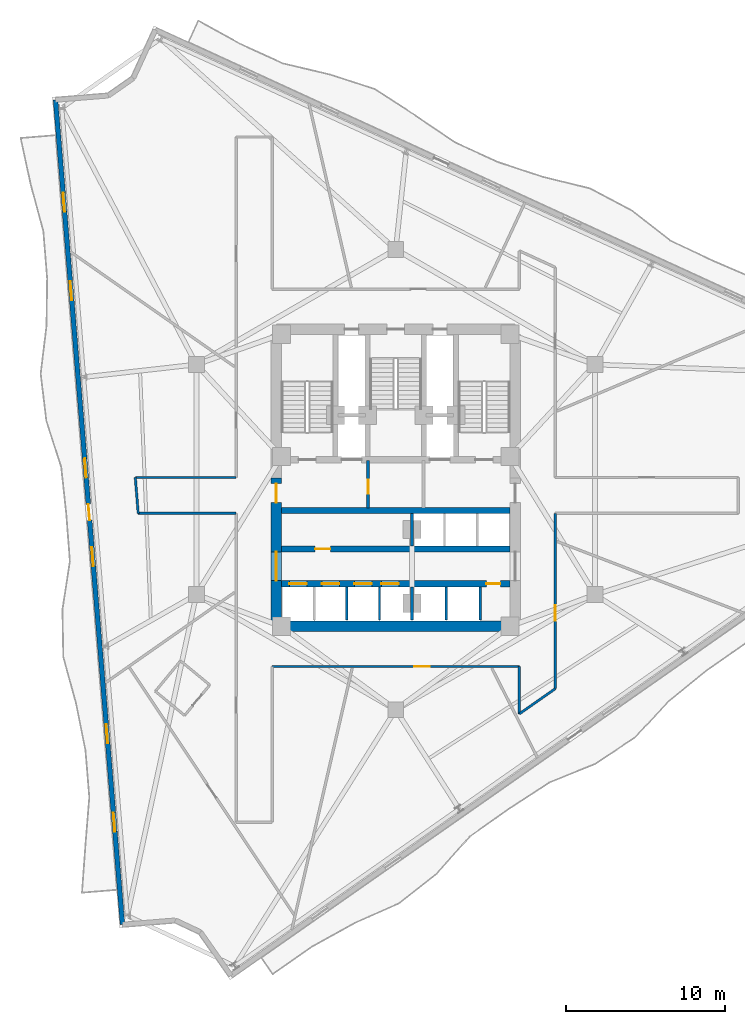
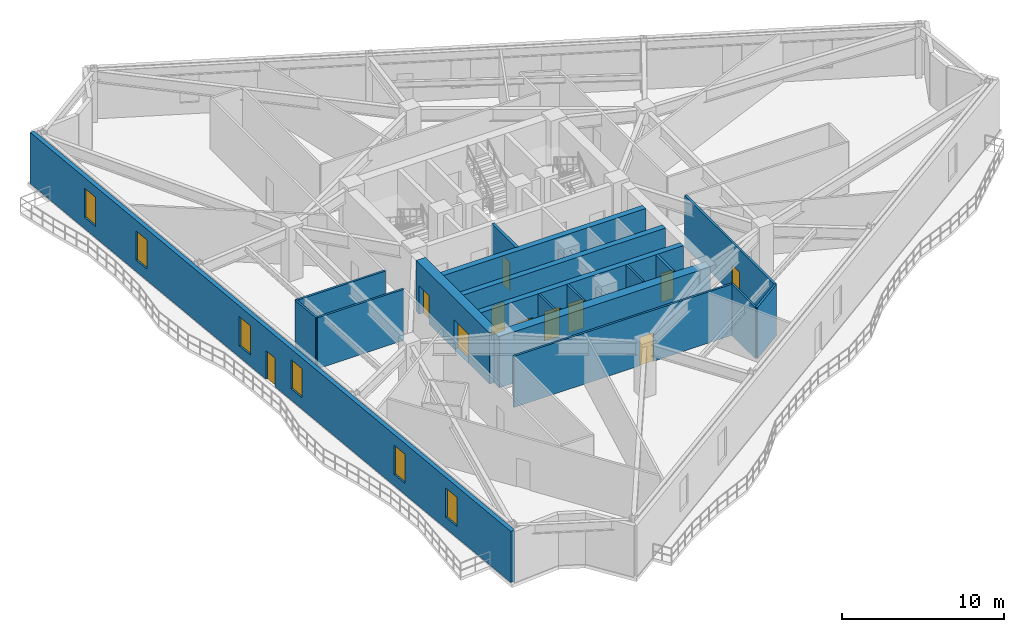
# One storey, part 5 of 11: 20 walls, 12 doors, 6 windows, 18 openings.
"""IFC4 building model written with IfcOpenShell, lengths in metres."""

from ifc_helpers import new_model, si_unit, direction, frame, frame_2d, origin, place, context, subcontext, project, spatial, rectangle, extrude, material, layer, layer_set, type_object, element, fill, save


model = new_model("IFC4")

# Units and contexts
model_context = context("Model", 3, precision=1e-05, world=origin(), true_north=direction((0.0, 1.0)))
body_context = subcontext(model_context, "Body", "Model", "MODEL_VIEW")
ifc_project = project(units=[si_unit("LENGTHUNIT", "METRE"), si_unit("AREAUNIT", "SQUARE_METRE"), si_unit("VOLUMEUNIT", "CUBIC_METRE"), si_unit("PLANEANGLEUNIT", "RADIAN"), si_unit("MASSUNIT", "GRAM", prefix="KILO")], contexts=[model_context])

# Site, building, storey
site_placement = place(None, origin())
site = spatial("IfcSite", under=ifc_project, at=site_placement, CompositionType="ELEMENT")
building_placement = place(site_placement, origin())
building = spatial("IfcBuilding", under=site, at=building_placement, Name="Apsidion Concourse Tower", CompositionType="ELEMENT")
storey_placement = place(building_placement, frame((0.0, 0.0, 214.699951171875)))
storey = spatial("IfcBuildingStorey", under=building, at=storey_placement, Name="L50", CompositionType="ELEMENT", Elevation=214.699951171875)

# Wall, openings, door, windows
ifc_material_1 = material(Name="Precast concrete C40/50", Category="concrete")
ifc_layer_1 = layer(ifc_material_1, 0.300048828125)
ifc_layer_set_1 = layer_set([ifc_layer_1], Name="Precast concrete C40/50")
wall_type_1 = type_object("IfcWallType", Name="WL-EXT-300", PredefinedType="STANDARD", material=ifc_layer_set_1)
wall_1_placement = place(storey_placement, frame((-17.2158203125, -28.039794921875, 0.0), z_axis=(0.0, 0.0, 1.0), x_axis=(-0.080930933538, 0.996719711853, 0.0)))
wall_1 = element("IfcWall", 1, at=wall_1_placement, inside=storey, type_object=wall_type_1, Name="L50 Precast Stone Facade Wall 09", PredefinedType="STANDARD", context=body_context, shape_type="SweptSolid", body=[
    extrude(rectangle(XDim=52.127685546875, YDim=0.300048828125, at=frame_2d((26.06396484375, 0.0))), origin(), (0.0, 0.0, 1.0), 3.85009765625),
])
opening_1_placement = place(wall_1_placement, frame((25.56396484375, 0.0, 0.0)))
opening_1 = element("IfcOpeningElement", 2, at=opening_1_placement, cuts=wall_1, Name="Opening D-T1L", PredefinedType="OPENING", context=body_context, shape_type="SweptSolid", body=[
    extrude(rectangle(XDim=1.0, YDim=2.14990234375, at=frame_2d((0.5, 1.074951171875))), frame((0.0, 0.16015625, 0.0), z_axis=(0.0, -1.0, 0.0), x_axis=(1.0, 0.0, 0.0)), (0.0, 0.0, 1.0), 0.320068359375),
])
opening_2_placement = place(wall_1_placement, frame((5.864013671875, 0.0, 0.85009765625)))
opening_2 = element("IfcOpeningElement", 3, at=opening_2_placement, cuts=wall_1, Name="Opening WN-06", PredefinedType="OPENING", context=body_context, shape_type="SweptSolid", body=[
    extrude(rectangle(XDim=1.199951171875, YDim=2.199951171875, at=frame_2d((0.60009765625, 1.10009765625))), frame((0.0, 0.16015625, 0.0), z_axis=(0.0, -1.0, 0.0), x_axis=(1.0, 0.0, 0.0)), (0.0, 0.0, 1.0), 0.320068359375),
])
opening_3_placement = place(wall_1_placement, frame((11.4638671875, 0.0, 0.85009765625)))
opening_3 = element("IfcOpeningElement", 4, at=opening_3_placement, cuts=wall_1, Name="Opening WN-06", PredefinedType="OPENING", context=body_context, shape_type="SweptSolid", body=[
    extrude(rectangle(XDim=1.199951171875, YDim=2.199951171875, at=frame_2d((0.60009765625, 1.10009765625))), frame((0.0, 0.16015625, 0.0), z_axis=(0.0, -1.0, 0.0), x_axis=(1.0, 0.0, 0.0)), (0.0, 0.0, 1.0), 0.320068359375),
])
opening_4_placement = place(wall_1_placement, frame((22.663818359375, 0.0, 0.85009765625)))
opening_4 = element("IfcOpeningElement", 5, at=opening_4_placement, cuts=wall_1, Name="Opening WN-06", PredefinedType="OPENING", context=body_context, shape_type="SweptSolid", body=[
    extrude(rectangle(XDim=1.199951171875, YDim=2.199951171875, at=frame_2d((0.60009765625, 1.10009765625))), frame((0.0, 0.16015625, 0.0), z_axis=(0.0, -1.0, 0.0), x_axis=(1.0, 0.0, 0.0)), (0.0, 0.0, 1.0), 0.320068359375),
])
opening_5_placement = place(wall_1_placement, frame((28.263916015625, 0.0, 0.85009765625)))
opening_5 = element("IfcOpeningElement", 6, at=opening_5_placement, cuts=wall_1, Name="Opening WN-06", PredefinedType="OPENING", context=body_context, shape_type="SweptSolid", body=[
    extrude(rectangle(XDim=1.199951171875, YDim=2.199951171875, at=frame_2d((0.60009765625, 1.10009765625))), frame((0.0, 0.16015625, 0.0), z_axis=(0.0, -1.0, 0.0), x_axis=(1.0, 0.0, 0.0)), (0.0, 0.0, 1.0), 0.320068359375),
])
opening_6_placement = place(wall_1_placement, frame((39.4638671875, 0.0, 0.85009765625)))
opening_6 = element("IfcOpeningElement", 7, at=opening_6_placement, cuts=wall_1, Name="Opening WN-06", PredefinedType="OPENING", context=body_context, shape_type="SweptSolid", body=[
    extrude(rectangle(XDim=1.199951171875, YDim=2.199951171875, at=frame_2d((0.60009765625, 1.10009765625))), frame((0.0, 0.16015625, 0.0), z_axis=(0.0, -1.0, 0.0), x_axis=(1.0, 0.0, 0.0)), (0.0, 0.0, 1.0), 0.320068359375),
])
opening_7_placement = place(wall_1_placement, frame((45.06396484375, 0.0, 0.85009765625)))
opening_7 = element("IfcOpeningElement", 8, at=opening_7_placement, cuts=wall_1, Name="Opening WN-06", PredefinedType="OPENING", context=body_context, shape_type="SweptSolid", body=[
    extrude(rectangle(XDim=1.199951171875, YDim=2.199951171875, at=frame_2d((0.60009765625, 1.10009765625))), frame((0.0, 0.16015625, 0.0), z_axis=(0.0, -1.0, 0.0), x_axis=(1.0, 0.0, 0.0)), (0.0, 0.0, 1.0), 0.320068359375),
])
ifc_material_2 = material(Name="Anodised aluminium EN AW-6063 T6", Category="aluminium")
door_type_1 = type_object("IfcDoorType", Name="DR-TER-1022L", OperationType="SINGLE_SWING_LEFT", PredefinedType="DOOR", material=ifc_material_2)
door_1_placement = place(opening_1_placement, origin())
door_1 = element("IfcDoor", 9, at=door_1_placement, inside=storey, type_object=door_type_1, Name="L50 Balcony Access Door 1", OperationType="SINGLE_SWING_LEFT", OverallHeight=2.14990234375, OverallWidth=1.0, PredefinedType="DOOR", context=body_context, shape_type="SweptSolid", body=[
    extrude(rectangle(XDim=1.0, YDim=2.14990234375, at=frame_2d((0.5, 1.074951171875))), frame((0.0, 0.02490234375, 0.0), z_axis=(0.0, -1.0, 0.0), x_axis=(1.0, 0.0, 0.0)), (0.0, 0.0, 1.0), 0.050048828125),
])
fill(opening_1, door_1)
ifc_material_3 = material(Name="Insulated laminated low-E glass", Category="glass")
window_type = type_object("IfcWindowType", Name="WN-OFF-1224", PartitioningType="SINGLE_PANEL", PredefinedType="WINDOW", material=ifc_material_3)
window_1_placement = place(opening_2_placement, origin())
window_1 = element("IfcWindow", 10, at=window_1_placement, inside=storey, type_object=window_type, Name="L50 Punched Facade Window 9-01", OverallHeight=2.199951171875, OverallWidth=1.199951171875, PartitioningType="SINGLE_PANEL", PredefinedType="WINDOW", context=body_context, shape_type="SweptSolid", body=[
    extrude(rectangle(XDim=1.199951171875, YDim=2.199951171875, at=frame_2d((0.60009765625, 1.10009765625))), frame((0.0, 0.030029296875, 0.0), z_axis=(0.0, -1.0, 0.0), x_axis=(1.0, 0.0, 0.0)), (0.0, 0.0, 1.0), 0.06005859375),
])
fill(opening_2, window_1)
window_2_placement = place(opening_3_placement, origin())
window_2 = element("IfcWindow", 11, at=window_2_placement, inside=storey, type_object=window_type, Name="L50 Punched Facade Window 9-02", OverallHeight=2.199951171875, OverallWidth=1.199951171875, PartitioningType="SINGLE_PANEL", PredefinedType="WINDOW", context=body_context, shape_type="SweptSolid", body=[
    extrude(rectangle(XDim=1.199951171875, YDim=2.199951171875, at=frame_2d((0.60009765625, 1.10009765625))), frame((0.0, 0.030029296875, 0.0), z_axis=(0.0, -1.0, 0.0), x_axis=(1.0, 0.0, 0.0)), (0.0, 0.0, 1.0), 0.06005859375),
])
fill(opening_3, window_2)
window_3_placement = place(opening_4_placement, origin())
window_3 = element("IfcWindow", 12, at=window_3_placement, inside=storey, type_object=window_type, Name="L50 Punched Facade Window 9-04", OverallHeight=2.199951171875, OverallWidth=1.199951171875, PartitioningType="SINGLE_PANEL", PredefinedType="WINDOW", context=body_context, shape_type="SweptSolid", body=[
    extrude(rectangle(XDim=1.199951171875, YDim=2.199951171875, at=frame_2d((0.60009765625, 1.10009765625))), frame((0.0, 0.030029296875, 0.0), z_axis=(0.0, -1.0, 0.0), x_axis=(1.0, 0.0, 0.0)), (0.0, 0.0, 1.0), 0.06005859375),
])
fill(opening_4, window_3)
window_4_placement = place(opening_5_placement, origin())
window_4 = element("IfcWindow", 13, at=window_4_placement, inside=storey, type_object=window_type, Name="L50 Punched Facade Window 9-05", OverallHeight=2.199951171875, OverallWidth=1.199951171875, PartitioningType="SINGLE_PANEL", PredefinedType="WINDOW", context=body_context, shape_type="SweptSolid", body=[
    extrude(rectangle(XDim=1.199951171875, YDim=2.199951171875, at=frame_2d((0.60009765625, 1.10009765625))), frame((0.0, 0.030029296875, 0.0), z_axis=(0.0, -1.0, 0.0), x_axis=(1.0, 0.0, 0.0)), (0.0, 0.0, 1.0), 0.06005859375),
])
fill(opening_5, window_4)
window_5_placement = place(opening_6_placement, origin())
window_5 = element("IfcWindow", 14, at=window_5_placement, inside=storey, type_object=window_type, Name="L50 Punched Facade Window 9-07", OverallHeight=2.199951171875, OverallWidth=1.199951171875, PartitioningType="SINGLE_PANEL", PredefinedType="WINDOW", context=body_context, shape_type="SweptSolid", body=[
    extrude(rectangle(XDim=1.199951171875, YDim=2.199951171875, at=frame_2d((0.60009765625, 1.10009765625))), frame((0.0, 0.030029296875, 0.0), z_axis=(0.0, -1.0, 0.0), x_axis=(1.0, 0.0, 0.0)), (0.0, 0.0, 1.0), 0.06005859375),
])
fill(opening_6, window_5)
window_6_placement = place(opening_7_placement, origin())
window_6 = element("IfcWindow", 15, at=window_6_placement, inside=storey, type_object=window_type, Name="L50 Punched Facade Window 9-08", OverallHeight=2.199951171875, OverallWidth=1.199951171875, PartitioningType="SINGLE_PANEL", PredefinedType="WINDOW", context=body_context, shape_type="SweptSolid", body=[
    extrude(rectangle(XDim=1.199951171875, YDim=2.199951171875, at=frame_2d((0.60009765625, 1.10009765625))), frame((0.0, 0.030029296875, 0.0), z_axis=(0.0, -1.0, 0.0), x_axis=(1.0, 0.0, 0.0)), (0.0, 0.0, 1.0), 0.06005859375),
])
fill(opening_7, window_6)

# Walls
ifc_material_4 = material(Name="Gypsum plasterboard partition")
ifc_layer_2 = layer(ifc_material_4, 0.14990234375)
ifc_layer_set_2 = layer_set([ifc_layer_2], Name="Gypsum plasterboard partition")
wall_type_2 = type_object("IfcWallType", Name="WL-INT-PAR-150", PredefinedType="PARTITIONING", material=ifc_layer_set_2)
for number, where, z_axis, x_axis, name in (
    (16, (-3.074951171875, -8.85009765625, 0.0), (0.0, 0.0, 1.0), (0.0, 1.0, 0.0), "L50 Interior Partition WL-L50-B2DIV-2"),
    (17, (-1.02490234375, -8.85009765625, 0.0), (0.0, 0.0, 1.0), (0.0, 1.0, 0.0), "L50 Interior Partition WL-L50-B2DIV-3"),
    (18, (3.175048828125, -8.85009765625, 0.0), (0.0, 0.0, 1.0), (0.0, 1.0, 0.0), "L50 Interior Partition WL-L50-SHDIV-1"),
):
    element("IfcWall", number, at=place(storey_placement, frame(where, z_axis=z_axis, x_axis=x_axis)), inside=storey, type_object=wall_type_2, Name=name, PredefinedType="PARTITIONING", context=body_context, shape_type="SweptSolid", body=[
        extrude(rectangle(XDim=2.080078125, YDim=0.14990234375, at=frame_2d((1.0400390625, 0.0))), origin(), (0.0, 0.0, 1.0), 3.85009765625),
    ])
wall_2_placement = place(storey_placement, frame((10.050048828125, -13.177490234375, 0.0), z_axis=(0.0, 0.0, 1.0), x_axis=(-0.819144609591, -0.573587054053, 0.0)))
element("IfcWall", 19, at=wall_2_placement, inside=storey, type_object=wall_type_2, Name="L50 Interior Partition WL-L50-CORR-01", PredefinedType="PARTITIONING", context=body_context, shape_type="SweptSolid", body=[
    extrude(rectangle(XDim=2.759033203125, YDim=0.14990234375, at=frame_2d((1.37939453125, 0.0))), origin(), (0.0, 0.0, 1.0), 3.85009765625),
])
wall_3_placement = place(storey_placement, frame((7.7900390625, -14.760009765625, 0.0), z_axis=(0.0, 0.0, 1.0), x_axis=(0.0, 1.0, 0.0)))
element("IfcWall", 20, at=wall_3_placement, inside=storey, type_object=wall_type_2, Name="L50 Interior Partition WL-L50-CORR-02", PredefinedType="PARTITIONING", context=body_context, shape_type="SweptSolid", body=[
    extrude(rectangle(XDim=2.985107421875, YDim=0.14990234375, at=frame_2d((1.49267578125, 0.0))), origin(), (0.0, 0.0, 1.0), 3.85009765625),
])

# Wall, opening, door
wall_4_placement = place(storey_placement, frame((7.7900390625, -11.77490234375, 0.0), z_axis=(0.0, 0.0, 1.0), x_axis=(-1.0, 0.0, 0.0)))
wall_4 = element("IfcWall", 21, at=wall_4_placement, inside=storey, type_object=wall_type_2, Name="L50 Interior Partition WL-L50-CORR-03", PredefinedType="PARTITIONING", context=body_context, shape_type="SweptSolid", body=[
    extrude(rectangle(XDim=15.580078125, YDim=0.14990234375, at=frame_2d((7.7900390625, 0.0))), origin(), (0.0, 0.0, 1.0), 3.85009765625),
])
opening_8_placement = place(wall_4_placement, frame((5.662109375, 0.0, 0.0)))
opening_8 = element("IfcOpeningElement", 22, at=opening_8_placement, cuts=wall_4, Name="Opening D-01R", PredefinedType="OPENING", context=body_context, shape_type="SweptSolid", body=[
    extrude(rectangle(XDim=0.949951171875, YDim=2.14990234375, at=frame_2d((0.47509765625, 1.074951171875))), frame((0.0, 0.0849609375, 0.0), z_axis=(0.0, -1.0, 0.0), x_axis=(1.0, 0.0, 0.0)), (0.0, 0.0, 1.0), 0.169921875),
])
ifc_material_5 = material(Name="Brushed stainless steel 316", Category="steel")
door_type_2 = type_object("IfcDoorType", Name="DR-INT-D01R", OperationType="SINGLE_SWING_RIGHT", PredefinedType="DOOR", material=ifc_material_5)
door_2_placement = place(opening_8_placement, origin())
door_2 = element("IfcDoor", 23, at=door_2_placement, inside=storey, type_object=door_type_2, Name="L50 Corridor Entry Door 02", OperationType="SINGLE_SWING_RIGHT", OverallHeight=2.14990234375, OverallWidth=0.949951171875, PredefinedType="DOOR", context=body_context, shape_type="SweptSolid", body=[
    extrude(rectangle(XDim=0.949951171875, YDim=2.14990234375, at=frame_2d((0.47509765625, 1.074951171875))), frame((0.0, 0.02490234375, 0.0), z_axis=(0.0, -1.0, 0.0), x_axis=(1.0, 0.0, 0.0)), (0.0, 0.0, 1.0), 0.050048828125),
])
fill(opening_8, door_2)

# Walls
wall_5_placement = place(storey_placement, frame((-10.050048828125, -2.1298828125, 0.0), z_axis=(0.0, 0.0, 1.0), x_axis=(-1.0, 0.0, 0.0)))
element("IfcWall", 24, at=wall_5_placement, inside=storey, type_object=wall_type_2, Name="L50 Interior Partition WL-L50-CORR-07", PredefinedType="PARTITIONING", context=body_context, shape_type="SweptSolid", body=[
    extrude(rectangle(XDim=6.17431640625, YDim=0.14990234375, at=frame_2d((3.087158203125, 0.0))), origin(), (0.0, 0.0, 1.0), 3.85009765625),
])
wall_6_placement = place(storey_placement, frame((-16.224365234375, -2.1298828125, 0.0), z_axis=(0.0, 0.0, 1.0), x_axis=(-0.080977783256, 0.996715906675, 0.0)))
element("IfcWall", 25, at=wall_6_placement, inside=storey, type_object=wall_type_2, Name="L50 Interior Partition WL-L50-CORR-08", PredefinedType="PARTITIONING", context=body_context, shape_type="SweptSolid", body=[
    extrude(rectangle(XDim=2.26708984375, YDim=0.14990234375, at=frame_2d((1.133544921875, 0.0))), origin(), (0.0, 0.0, 1.0), 3.85009765625),
])
wall_7_placement = place(storey_placement, frame((-16.407958984375, 0.1298828125, 0.0), z_axis=(0.0, 0.0, 1.0), x_axis=(1.0, 0.0, 0.0)))
element("IfcWall", 26, at=wall_7_placement, inside=storey, type_object=wall_type_2, Name="L50 Interior Partition WL-L50-CORR-09", PredefinedType="PARTITIONING", context=body_context, shape_type="SweptSolid", body=[
    extrude(rectangle(XDim=6.35791015625, YDim=0.14990234375, at=frame_2d((3.178955078125, 0.0))), origin(), (0.0, 0.0, 1.0), 3.85009765625),
])

# Wall, opening, door
wall_8_placement = place(storey_placement, frame((10.050048828125, -2.1298828125, 0.0), z_axis=(0.0, 0.0, 1.0), x_axis=(0.0, -1.0, 0.0)))
wall_8 = element("IfcWall", 27, at=wall_8_placement, inside=storey, type_object=wall_type_2, Name="L50 Interior Partition WL-L50-CORR-20", PredefinedType="PARTITIONING", context=body_context, shape_type="SweptSolid", body=[
    extrude(rectangle(XDim=11.047607421875, YDim=0.14990234375, at=frame_2d((5.52392578125, 0.0))), origin(), (0.0, 0.0, 1.0), 3.85009765625),
])
opening_9_placement = place(wall_8_placement, frame((5.80322265625, 0.0, 0.0)))
opening_9 = element("IfcOpeningElement", 28, at=opening_9_placement, cuts=wall_8, Name="Opening D-01L", PredefinedType="OPENING", context=body_context, shape_type="SweptSolid", body=[
    extrude(rectangle(XDim=0.949951171875, YDim=2.14990234375, at=frame_2d((0.47509765625, 1.074951171875))), frame((0.0, 0.0849609375, 0.0), z_axis=(0.0, -1.0, 0.0), x_axis=(1.0, 0.0, 0.0)), (0.0, 0.0, 1.0), 0.169921875),
])
door_type_3 = type_object("IfcDoorType", Name="DR-INT-D01L", OperationType="SINGLE_SWING_LEFT", PredefinedType="DOOR", material=ifc_material_5)
door_3_placement = place(opening_9_placement, origin())
door_3 = element("IfcDoor", 29, at=door_3_placement, inside=storey, type_object=door_type_3, Name="L50 Corridor Entry Door 03", OperationType="SINGLE_SWING_LEFT", OverallHeight=2.14990234375, OverallWidth=0.949951171875, PredefinedType="DOOR", context=body_context, shape_type="SweptSolid", body=[
    extrude(rectangle(XDim=0.949951171875, YDim=2.14990234375, at=frame_2d((0.47509765625, 1.074951171875))), frame((0.0, 0.02490234375, 0.0), z_axis=(0.0, -1.0, 0.0), x_axis=(1.0, 0.0, 0.0)), (0.0, 0.0, 1.0), 0.050048828125),
])
fill(opening_9, door_3)

# Walls
ifc_layer_3 = layer(ifc_material_4, 0.179931640625)
ifc_layer_set_3 = layer_set([ifc_layer_3], Name="Gypsum plasterboard partition")
wall_type_3 = type_object("IfcWallType", Name="WL-INT-PAR-180", PredefinedType="PARTITIONING", material=ifc_layer_set_3)
wall_9_placement = place(storey_placement, frame((1.02490234375, -4.179931640625, 0.0), z_axis=(0.0, 0.0, 1.0), x_axis=(0.0, 1.0, 0.0)))
element("IfcWall", 30, at=wall_9_placement, inside=storey, type_object=wall_type_3, Name="L50 Interior Partition WL-L50-B1END", PredefinedType="PARTITIONING", context=body_context, shape_type="SweptSolid", body=[
    extrude(rectangle(XDim=2.030029296875, YDim=0.179931640625, at=frame_2d((1.01513671875, 0.0))), origin(), (0.0, 0.0, 1.0), 2.89794921875),
])
wall_10_placement = place(storey_placement, frame((1.02490234375, -8.85009765625, 0.0), z_axis=(0.0, 0.0, 1.0), x_axis=(0.0, 1.0, 0.0)))
element("IfcWall", 31, at=wall_10_placement, inside=storey, type_object=wall_type_3, Name="L50 Interior Partition WL-L50-B2END", PredefinedType="PARTITIONING", context=body_context, shape_type="SweptSolid", body=[
    extrude(rectangle(XDim=2.080078125, YDim=0.179931640625, at=frame_2d((1.0400390625, 0.0))), origin(), (0.0, 0.0, 1.0), 2.89794921875),
])
wall_11_placement = place(storey_placement, frame((5.324951171875, -8.85009765625, 0.0), z_axis=(0.0, 0.0, 1.0), x_axis=(0.0, 1.0, 0.0)))
element("IfcWall", 32, at=wall_11_placement, inside=storey, type_object=wall_type_3, Name="L50 Interior Partition WL-L50-SHDIV-2", PredefinedType="PARTITIONING", context=body_context, shape_type="SweptSolid", body=[
    extrude(rectangle(XDim=2.080078125, YDim=0.179931640625, at=frame_2d((1.0400390625, 0.0))), origin(), (0.0, 0.0, 1.0), 3.85009765625),
])

# Wall, opening, door
ifc_layer_4 = layer(ifc_material_4, 0.199951171875)
ifc_layer_set_4 = layer_set([ifc_layer_4], Name="Gypsum plasterboard partition")
wall_type_4 = type_object("IfcWallType", Name="WL-INT-PAR-200", PredefinedType="PARTITIONING", material=ifc_layer_set_4)
wall_12_placement = place(storey_placement, frame((-1.739990234375, -1.780029296875, 0.0), z_axis=(0.0, 0.0, 1.0), x_axis=(0.0, 1.0, 0.0)))
wall_12 = element("IfcWall", 33, at=wall_12_placement, inside=storey, type_object=wall_type_4, Name="L50 Interior Partition WL-L50-FF1-E", PredefinedType="PARTITIONING", context=body_context, shape_type="SweptSolid", body=[
    extrude(rectangle(XDim=2.97998046875, YDim=0.199951171875, at=frame_2d((1.489990234375, 0.0))), origin(), (0.0, 0.0, 1.0), 3.85009765625),
])
opening_10_placement = place(wall_12_placement, frame((0.889892578125, 0.0, 0.0)))
opening_10 = element("IfcOpeningElement", 34, at=opening_10_placement, cuts=wall_12, Name="Opening D-05R", PredefinedType="OPENING", context=body_context, shape_type="SweptSolid", body=[
    extrude(rectangle(XDim=0.8798828125, YDim=2.14990234375, at=frame_2d((0.43994140625, 1.074951171875))), frame((0.0, 0.10986328125, 0.0), z_axis=(0.0, -1.0, 0.0), x_axis=(1.0, 0.0, 0.0)), (0.0, 0.0, 1.0), 0.219970703125),
])
door_type_4 = type_object("IfcDoorType", Name="DR-INT-D05R", OperationType="SINGLE_SWING_RIGHT", PredefinedType="DOOR", material=ifc_material_5)
door_4_placement = place(opening_10_placement, origin())
door_4 = element("IfcDoor", 35, at=door_4_placement, inside=storey, type_object=door_type_4, Name="L50 Core BMS Door", OperationType="SINGLE_SWING_RIGHT", OverallHeight=2.14990234375, OverallWidth=0.8798828125, PredefinedType="DOOR", context=body_context, shape_type="SweptSolid", body=[
    extrude(rectangle(XDim=0.8798828125, YDim=2.14990234375, at=frame_2d((0.43994140625, 1.074951171875))), frame((0.0, 0.02490234375, 0.0), z_axis=(0.0, -1.0, 0.0), x_axis=(1.0, 0.0, 0.0)), (0.0, 0.0, 1.0), 0.050048828125),
])
fill(opening_10, door_4)

# Wall
ifc_material_6 = material(Name="Concrete C50/60", Category="concrete")
ifc_layer_5 = layer(ifc_material_6, 0.39990234375)
ifc_layer_set_5 = layer_set([ifc_layer_5], Name="Concrete C50/60")
wall_type_5 = type_object("IfcWallType", Name="WL-SH-400", PredefinedType="SHEAR", material=ifc_layer_set_5)
wall_13_placement = place(storey_placement, frame((-7.199951171875, -1.949951171875, 0.0), z_axis=(0.0, 0.0, 1.0), x_axis=(1.0, 0.0, 0.0)))
element("IfcWall", 36, at=wall_13_placement, inside=storey, type_object=wall_type_5, Name="L50 Central Core Shear Wall M2", PredefinedType="SHEAR", context=body_context, shape_type="SweptSolid", body=[
    extrude(rectangle(XDim=14.39990234375, YDim=0.39990234375, at=frame_2d((7.199951171875, 0.0))), origin(), (0.0, 0.0, 1.0), 3.85009765625),
])

# Wall, opening, door
wall_14_placement = place(storey_placement, frame((-7.199951171875, -4.3798828125, 0.0), z_axis=(0.0, 0.0, 1.0), x_axis=(1.0, 0.0, 0.0)))
wall_14 = element("IfcWall", 37, at=wall_14_placement, inside=storey, type_object=wall_type_5, Name="L50 Central Core Shear Wall LA", PredefinedType="SHEAR", context=body_context, shape_type="SweptSolid", body=[
    extrude(rectangle(XDim=14.39990234375, YDim=0.39990234375, at=frame_2d((7.199951171875, 0.0))), origin(), (0.0, 0.0, 1.0), 3.85009765625),
])
opening_11_placement = place(wall_14_placement, frame((2.125, 0.0, 0.0)))
opening_11 = element("IfcOpeningElement", 38, at=opening_11_placement, cuts=wall_14, Name="Opening D-04L", PredefinedType="OPENING", context=body_context, shape_type="SweptSolid", body=[
    extrude(rectangle(XDim=0.949951171875, YDim=2.14990234375, at=frame_2d((0.47509765625, 1.074951171875))), frame((0.0, 0.2099609375, 0.0), z_axis=(0.0, -1.0, 0.0), x_axis=(1.0, 0.0, 0.0)), (0.0, 0.0, 1.0), 0.419921875),
])
door_type_5 = type_object("IfcDoorType", Name="DR-INT-D04L", OperationType="SINGLE_SWING_LEFT", PredefinedType="DOOR", material=ifc_material_5)
door_5_placement = place(opening_11_placement, origin())
door_5 = element("IfcDoor", 39, at=door_5_placement, inside=storey, type_object=door_type_5, Name="L50 Tenant Archive and Print Room Door", OperationType="SINGLE_SWING_LEFT", OverallHeight=2.14990234375, OverallWidth=0.949951171875, PredefinedType="DOOR", context=body_context, shape_type="SweptSolid", body=[
    extrude(rectangle(XDim=0.949951171875, YDim=2.14990234375, at=frame_2d((0.47509765625, 1.074951171875))), frame((0.0, 0.02490234375, 0.0), z_axis=(0.0, -1.0, 0.0), x_axis=(1.0, 0.0, 0.0)), (0.0, 0.0, 1.0), 0.050048828125),
])
fill(opening_11, door_5)

# Wall, openings, doors
wall_15_placement = place(storey_placement, frame((-7.199951171875, -6.570068359375, 0.0), z_axis=(0.0, 0.0, 1.0), x_axis=(1.0, 0.0, 0.0)))
wall_15 = element("IfcWall", 40, at=wall_15_placement, inside=storey, type_object=wall_type_5, Name="L50 Central Core Shear Wall LB", PredefinedType="SHEAR", context=body_context, shape_type="SweptSolid", body=[
    extrude(rectangle(XDim=14.39990234375, YDim=0.39990234375, at=frame_2d((7.199951171875, 0.0))), origin(), (0.0, 0.0, 1.0), 3.85009765625),
])
opening_12_placement = place(wall_15_placement, frame((0.5, 0.0, 0.0)))
opening_12 = element("IfcOpeningElement", 41, at=opening_12_placement, cuts=wall_15, Name="Opening LD-P1", PredefinedType="OPENING", context=body_context, shape_type="SweptSolid", body=[
    extrude(rectangle(XDim=1.10009765625, YDim=2.199951171875, at=frame_2d((0.550048828125, 1.10009765625))), frame((0.0, 0.2099609375, 0.0), z_axis=(0.0, -1.0, 0.0), x_axis=(1.0, 0.0, 0.0)), (0.0, 0.0, 1.0), 0.419921875),
])
opening_13_placement = place(wall_15_placement, frame((2.550048828125, 0.0, 0.0)))
opening_13 = element("IfcOpeningElement", 42, at=opening_13_placement, cuts=wall_15, Name="Opening LD-P1", PredefinedType="OPENING", context=body_context, shape_type="SweptSolid", body=[
    extrude(rectangle(XDim=1.10009765625, YDim=2.199951171875, at=frame_2d((0.550048828125, 1.10009765625))), frame((0.0, 0.2099609375, 0.0), z_axis=(0.0, -1.0, 0.0), x_axis=(1.0, 0.0, 0.0)), (0.0, 0.0, 1.0), 0.419921875),
])
opening_14_placement = place(wall_15_placement, frame((4.60009765625, 0.0, 0.0)))
opening_14 = element("IfcOpeningElement", 43, at=opening_14_placement, cuts=wall_15, Name="Opening LD-P1", PredefinedType="OPENING", context=body_context, shape_type="SweptSolid", body=[
    extrude(rectangle(XDim=1.10009765625, YDim=2.199951171875, at=frame_2d((0.550048828125, 1.10009765625))), frame((0.0, 0.2099609375, 0.0), z_axis=(0.0, -1.0, 0.0), x_axis=(1.0, 0.0, 0.0)), (0.0, 0.0, 1.0), 0.419921875),
])
opening_15_placement = place(wall_15_placement, frame((6.300048828125, 0.0, 0.0)))
opening_15 = element("IfcOpeningElement", 44, at=opening_15_placement, cuts=wall_15, Name="Opening LD-P1", PredefinedType="OPENING", context=body_context, shape_type="SweptSolid", body=[
    extrude(rectangle(XDim=1.10009765625, YDim=2.199951171875, at=frame_2d((0.550048828125, 1.10009765625))), frame((0.0, 0.2099609375, 0.0), z_axis=(0.0, -1.0, 0.0), x_axis=(1.0, 0.0, 0.0)), (0.0, 0.0, 1.0), 0.419921875),
])
opening_16_placement = place(wall_15_placement, frame((12.909912109375, 0.0, 0.0)))
opening_16 = element("IfcOpeningElement", 45, at=opening_16_placement, cuts=wall_15, Name="Opening D-05L", PredefinedType="OPENING", context=body_context, shape_type="SweptSolid", body=[
    extrude(rectangle(XDim=0.8798828125, YDim=2.14990234375, at=frame_2d((0.43994140625, 1.074951171875))), frame((0.0, 0.2099609375, 0.0), z_axis=(0.0, -1.0, 0.0), x_axis=(1.0, 0.0, 0.0)), (0.0, 0.0, 1.0), 0.419921875),
])
door_type_6 = type_object("IfcDoorType", Name="DR-INT-D05L", OperationType="SINGLE_SWING_LEFT", PredefinedType="DOOR", material=ifc_material_5)
door_6_placement = place(opening_16_placement, origin())
door_6 = element("IfcDoor", 46, at=door_6_placement, inside=storey, type_object=door_type_6, Name="L50 Cleaners Store Door", OperationType="SINGLE_SWING_LEFT", OverallHeight=2.14990234375, OverallWidth=0.8798828125, PredefinedType="DOOR", context=body_context, shape_type="SweptSolid", body=[
    extrude(rectangle(XDim=0.8798828125, YDim=2.14990234375, at=frame_2d((0.43994140625, 1.074951171875))), frame((0.0, 0.02490234375, 0.0), z_axis=(0.0, -1.0, 0.0), x_axis=(1.0, 0.0, 0.0)), (0.0, 0.0, 1.0), 0.050048828125),
])
fill(opening_16, door_6)
door_type_7 = type_object("IfcDoorType", Name="DR-LD-PASS", OperationType="DOUBLE_DOOR_SLIDING", PredefinedType="DOOR", material=ifc_material_5)
door_7_placement = place(opening_12_placement, origin())
door_7 = element("IfcDoor", 47, at=door_7_placement, inside=storey, type_object=door_type_7, Name="L50 Lift Landing Door P5", OperationType="DOUBLE_DOOR_SLIDING", OverallHeight=2.199951171875, OverallWidth=1.10009765625, PredefinedType="DOOR", context=body_context, shape_type="SweptSolid", body=[
    extrude(rectangle(XDim=1.10009765625, YDim=2.199951171875, at=frame_2d((0.550048828125, 1.10009765625))), frame((0.0, 0.02490234375, 0.0), z_axis=(0.0, -1.0, 0.0), x_axis=(1.0, 0.0, 0.0)), (0.0, 0.0, 1.0), 0.050048828125),
])
fill(opening_12, door_7)
door_8_placement = place(opening_13_placement, origin())
door_8 = element("IfcDoor", 48, at=door_8_placement, inside=storey, type_object=door_type_7, Name="L50 Lift Landing Door P6", OperationType="DOUBLE_DOOR_SLIDING", OverallHeight=2.199951171875, OverallWidth=1.10009765625, PredefinedType="DOOR", context=body_context, shape_type="SweptSolid", body=[
    extrude(rectangle(XDim=1.10009765625, YDim=2.199951171875, at=frame_2d((0.550048828125, 1.10009765625))), frame((0.0, 0.02490234375, 0.0), z_axis=(0.0, -1.0, 0.0), x_axis=(1.0, 0.0, 0.0)), (0.0, 0.0, 1.0), 0.050048828125),
])
fill(opening_13, door_8)
door_9_placement = place(opening_14_placement, origin())
door_9 = element("IfcDoor", 49, at=door_9_placement, inside=storey, type_object=door_type_7, Name="L50 Lift Landing Door P7", OperationType="DOUBLE_DOOR_SLIDING", OverallHeight=2.199951171875, OverallWidth=1.10009765625, PredefinedType="DOOR", context=body_context, shape_type="SweptSolid", body=[
    extrude(rectangle(XDim=1.10009765625, YDim=2.199951171875, at=frame_2d((0.550048828125, 1.10009765625))), frame((0.0, 0.02490234375, 0.0), z_axis=(0.0, -1.0, 0.0), x_axis=(1.0, 0.0, 0.0)), (0.0, 0.0, 1.0), 0.050048828125),
])
fill(opening_14, door_9)
door_10_placement = place(opening_15_placement, origin())
door_10 = element("IfcDoor", 50, at=door_10_placement, inside=storey, type_object=door_type_7, Name="L50 Lift Landing Door P8", OperationType="DOUBLE_DOOR_SLIDING", OverallHeight=2.199951171875, OverallWidth=1.10009765625, PredefinedType="DOOR", context=body_context, shape_type="SweptSolid", body=[
    extrude(rectangle(XDim=1.10009765625, YDim=2.199951171875, at=frame_2d((0.550048828125, 1.10009765625))), frame((0.0, 0.02490234375, 0.0), z_axis=(0.0, -1.0, 0.0), x_axis=(1.0, 0.0, 0.0)), (0.0, 0.0, 1.0), 0.050048828125),
])
fill(opening_15, door_10)

ifc_layer_6 = layer(ifc_material_6, 0.64990234375)
ifc_layer_set_6 = layer_set([ifc_layer_6], Name="Concrete C50/60")
wall_type_6 = type_object("IfcWallType", Name="WL-SH-650", PredefinedType="SHEAR", material=ifc_layer_set_6)
wall_16_placement = place(storey_placement, frame((-7.52490234375, -8.925048828125, 0.0), z_axis=(0.0, 0.0, 1.0), x_axis=(0.0, 1.0, 0.0)))
wall_16 = element("IfcWall", 51, at=wall_16_placement, inside=storey, type_object=wall_type_6, Name="L50 Central Core Shear Wall WS", PredefinedType="SHEAR", context=body_context, shape_type="SweptSolid", body=[
    extrude(rectangle(XDim=9.025146484375, YDim=0.64990234375, at=frame_2d((4.5126953125, 0.0))), origin(), (0.0, 0.0, 1.0), 3.85009765625),
])
opening_17_placement = place(wall_16_placement, frame((2.56494140625, 0.0, 0.0)))
opening_17 = element("IfcOpeningElement", 52, at=opening_17_placement, cuts=wall_16, Name="Opening D-06D", PredefinedType="OPENING", context=body_context, shape_type="SweptSolid", body=[
    extrude(rectangle(XDim=1.800048828125, YDim=2.199951171875, at=frame_2d((0.89990234375, 1.10009765625))), frame((0.0, 0.3349609375, 0.0), z_axis=(0.0, -1.0, 0.0), x_axis=(1.0, 0.0, 0.0)), (0.0, 0.0, 1.0), 0.669921875),
])
opening_18_placement = place(wall_16_placement, frame((7.47509765625, 0.0, 0.0)))
opening_18 = element("IfcOpeningElement", 53, at=opening_18_placement, cuts=wall_16, Name="Opening D-FFL", PredefinedType="OPENING", context=body_context, shape_type="SweptSolid", body=[
    extrude(rectangle(XDim=1.199951171875, YDim=2.14990234375, at=frame_2d((0.60009765625, 1.074951171875))), frame((0.0, 0.3349609375, 0.0), z_axis=(0.0, -1.0, 0.0), x_axis=(1.0, 0.0, 0.0)), (0.0, 0.0, 1.0), 0.669921875),
])
door_type_8 = type_object("IfcDoorType", Name="DR-INT-D06D", OperationType="DOUBLE_DOOR_SINGLE_SWING", PredefinedType="DOOR", material=ifc_material_5)
door_11_placement = place(opening_17_placement, origin())
door_11 = element("IfcDoor", 54, at=door_11_placement, inside=storey, type_object=door_type_8, Name="L50 Passenger Lift Lobby WS Portal Door", OperationType="DOUBLE_DOOR_SINGLE_SWING", OverallHeight=2.199951171875, OverallWidth=1.800048828125, PredefinedType="DOOR", context=body_context, shape_type="SweptSolid", body=[
    extrude(rectangle(XDim=1.800048828125, YDim=2.199951171875, at=frame_2d((0.89990234375, 1.10009765625))), frame((0.0, 0.02490234375, 0.0), z_axis=(0.0, -1.0, 0.0), x_axis=(1.0, 0.0, 0.0)), (0.0, 0.0, 1.0), 0.050048828125),
])
fill(opening_17, door_11)
door_type_9 = type_object("IfcDoorType", Name="DR-INT-FFL", OperationType="SINGLE_SWING_LEFT", PredefinedType="DOOR", material=ifc_material_5)
door_12_placement = place(opening_18_placement, origin())
door_12 = element("IfcDoor", 55, at=door_12_placement, inside=storey, type_object=door_type_9, Name="L50 Firefighting Lift Lobby FF1 Door", OperationType="SINGLE_SWING_LEFT", OverallHeight=2.14990234375, OverallWidth=1.199951171875, PredefinedType="DOOR", context=body_context, shape_type="SweptSolid", body=[
    extrude(rectangle(XDim=1.199951171875, YDim=2.14990234375, at=frame_2d((0.60009765625, 1.074951171875))), frame((0.0, 0.02490234375, 0.0), z_axis=(0.0, -1.0, 0.0), x_axis=(1.0, 0.0, 0.0)), (0.0, 0.0, 1.0), 0.050048828125),
])
fill(opening_18, door_12)

# Wall
wall_17_placement = place(storey_placement, frame((-7.52490234375, -9.25, 0.0), z_axis=(0.0, 0.0, 1.0), x_axis=(1.0, 0.0, 0.0)))
element("IfcWall", 56, at=wall_17_placement, inside=storey, type_object=wall_type_6, Name="L50 Central Core Shear Wall S", PredefinedType="SHEAR", context=body_context, shape_type="SweptSolid", body=[
    extrude(rectangle(XDim=15.0498046875, YDim=0.64990234375, at=frame_2d((7.52490234375, 0.0))), origin(), (0.0, 0.0, 1.0), 3.85009765625),
])

save(model, "model.ifc")
